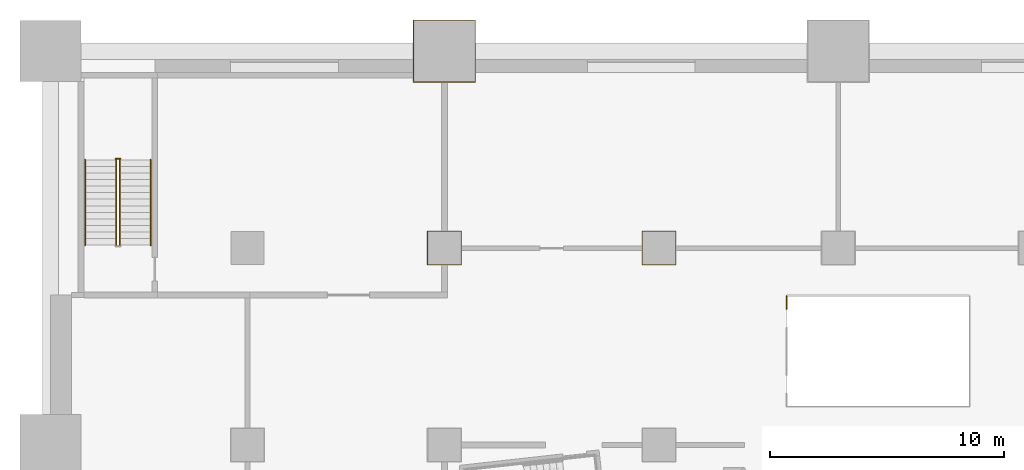
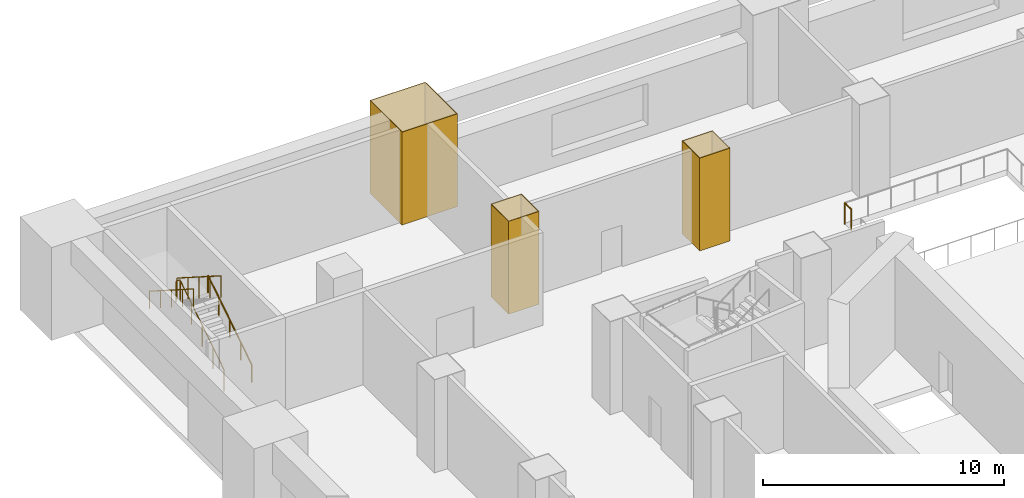
# One storey, part 13 of 17: 6 railings, 3 coverings.
"""IFC4 building model written with IfcOpenShell, lengths in metres."""

from ifc_helpers import new_model, si_unit, direction, frame, origin, origin_2d, place, context, subcontext, project, spatial, polyline, circle, outline, extrude, material, layer, layer_set, type_object, element, save


model = new_model("IFC4")

# Units and contexts
model_context = context("Model", 3, precision=1e-05, world=origin(), true_north=direction((0.0, 1.0)))
body_context = subcontext(model_context, "Body", "Model", "MODEL_VIEW")
ifc_project = project(units=[si_unit("LENGTHUNIT", "METRE"), si_unit("AREAUNIT", "SQUARE_METRE"), si_unit("VOLUMEUNIT", "CUBIC_METRE"), si_unit("PLANEANGLEUNIT", "RADIAN"), si_unit("MASSUNIT", "GRAM", prefix="KILO")], contexts=[model_context])

# Site, building, storey
site_placement = place(None, origin())
site = spatial("IfcSite", under=ifc_project, at=site_placement, CompositionType="ELEMENT")
building_placement = place(site_placement, origin())
building = spatial("IfcBuilding", under=site, at=building_placement, Name="Cantera Rosa Tower", CompositionType="ELEMENT")
storey_placement = place(building_placement, frame((0.0, 0.0, 22.0)))
storey = spatial("IfcBuildingStorey", under=building, at=storey_placement, Name="L03", CompositionType="ELEMENT", Elevation=22.0)

# Coverings
ifc_material_1 = material(Name="Plaster")
ifc_layer = layer(ifc_material_1, 0.030029296875)
ifc_layer_set = layer_set([ifc_layer], Name="Column casing 30")
covering_type = type_object("IfcCoveringType", Name="Column casing 30", PredefinedType="CLADDING", material=ifc_layer_set)
covering_1_placement = place(storey_placement, origin())
element("IfcCovering", 1, at=covering_1_placement, inside=storey, type_object=covering_type, Name="Column casing L03-011", PredefinedType="CLADDING", context=body_context, shape_type="SweptSolid", body=[
    extrude(outline(polyline([(-17.530029296875, 20.27001953125), (-16.070068359375, 20.27001953125), (-16.070068359375, 21.72998046875), (-17.530029296875, 21.72998046875), (-17.530029296875, 20.27001953125)]), holes=[polyline([(-16.10009765625, 21.699951171875), (-17.5, 21.699951171875), (-17.5, 20.300048828125), (-16.10009765625, 20.300048828125), (-16.10009765625, 21.699951171875)])]), origin(), (0.0, 0.0, 1.0), 4.699951171875),
])
covering_2_placement = place(storey_placement, origin())
element("IfcCovering", 2, at=covering_2_placement, inside=storey, type_object=covering_type, Name="Column casing L03-012", PredefinedType="CLADDING", context=body_context, shape_type="SweptSolid", body=[
    extrude(outline(polyline([(-18.1298828125, 28.070068359375), (-15.469970703125, 28.070068359375), (-15.469970703125, 30.72998046875), (-18.1298828125, 30.72998046875), (-18.1298828125, 28.070068359375)]), holes=[polyline([(-15.5, 30.699951171875), (-18.10009765625, 30.699951171875), (-18.10009765625, 28.10009765625), (-15.5, 28.10009765625), (-15.5, 30.699951171875)])]), origin(), (0.0, 0.0, 1.0), 4.699951171875),
])
covering_3_placement = place(storey_placement, origin())
element("IfcCovering", 3, at=covering_3_placement, inside=storey, type_object=covering_type, Name="Column casing L03-016", PredefinedType="CLADDING", context=body_context, shape_type="SweptSolid", body=[
    extrude(outline(polyline([(-8.3798828125, 20.27001953125), (-6.919921875, 20.27001953125), (-6.919921875, 21.72998046875), (-8.3798828125, 21.72998046875), (-8.3798828125, 20.27001953125)]), holes=[polyline([(-6.949951171875, 21.699951171875), (-8.35009765625, 21.699951171875), (-8.35009765625, 20.300048828125), (-6.949951171875, 20.300048828125), (-6.949951171875, 21.699951171875)])]), origin(), (0.0, 0.0, 1.0), 4.699951171875),
])

# Railings
ifc_material_2 = material(Name="Steel S355J2 (EN 10025-2)", Category="steel")
railing_type_1 = type_object("IfcRailingType", Name="STAIR GUARD 1100", PredefinedType="GUARDRAIL", material=ifc_material_2)
railing_1_placement = place(storey_placement, frame((-30.65087890625, 21.125, 0.178466796875)))
element("IfcRailing", 4, at=railing_1_placement, inside=storey, type_object=railing_type_1, Name="L03 ST-NW stair guard 1", PredefinedType="GUARDRAIL", context=body_context, shape_type="SweptSolid", body=[
    extrude(circle(Radius=0.02392578125, at=origin_2d()), frame((0.0, 0.0, 1.076171875), z_axis=(0.0, 0.843111507901, 0.53773877045), x_axis=(-1.0, 0.0, 0.0)), (0.0, 0.0, 1.0), 4.317138671875),
    extrude(circle(Radius=0.02099609375, at=origin_2d()), origin(), (0.0, 0.0, 1.0), 1.052001953125),
    extrude(circle(Radius=0.02099609375, at=origin_2d()), frame((0.0, 0.909912109375, 0.580322265625)), (0.0, 0.0, 1.0), 1.052001953125),
    extrude(circle(Radius=0.02099609375, at=origin_2d()), frame((0.0, 1.81982421875, 1.16064453125)), (0.0, 0.0, 1.0), 1.052001953125),
    extrude(circle(Radius=0.02099609375, at=origin_2d()), frame((0.0, 2.72998046875, 1.7412109375)), (0.0, 0.0, 1.0), 1.052001953125),
    extrude(circle(Radius=0.02099609375, at=origin_2d()), frame((0.0, 3.639892578125, 2.321533203125)), (0.0, 0.0, 1.0), 1.052001953125),
])
railing_2_placement = place(storey_placement, frame((-30.625, 24.81494140625, 2.5)))
element("IfcRailing", 5, at=railing_2_placement, inside=storey, type_object=railing_type_1, Name="L03 ST-NW stair guard 2", PredefinedType="GUARDRAIL", context=body_context, shape_type="SweptSolid", body=[
    extrude(circle(Radius=0.02392578125, at=origin_2d()), frame((0.0, 0.0, 1.076171875), z_axis=(-1.0, 0.0, 0.0), x_axis=(0.0, -1.0, 0.0)), (0.0, 0.0, 1.0), 0.199951171875),
    extrude(circle(Radius=0.02099609375, at=origin_2d()), origin(), (0.0, 0.0, 1.0), 1.052001953125),
    extrude(circle(Radius=0.02099609375, at=origin_2d()), frame((-0.199951171875, 0.0, 0.0)), (0.0, 0.0, 1.0), 1.052001953125),
])
railing_3_placement = place(storey_placement, frame((-30.799072265625, 24.764892578125, 2.678466796875)))
element("IfcRailing", 6, at=railing_3_placement, inside=storey, type_object=railing_type_1, Name="L03 ST-NW stair guard 3", PredefinedType="GUARDRAIL", context=body_context, shape_type="SweptSolid", body=[
    extrude(circle(Radius=0.02392578125, at=origin_2d()), frame((0.0, 0.0, 1.076171875), z_axis=(0.0, -0.843111507901, 0.53773877045), x_axis=(1.0, 0.0, 0.0)), (0.0, 0.0, 1.0), 4.317138671875),
    extrude(circle(Radius=0.02099609375, at=origin_2d()), origin(), (0.0, 0.0, 1.0), 1.052001953125),
    extrude(circle(Radius=0.02099609375, at=origin_2d()), frame((0.0, -0.909912109375, 0.580322265625)), (0.0, 0.0, 1.0), 1.052001953125),
    extrude(circle(Radius=0.02099609375, at=origin_2d()), frame((0.0, -1.81982421875, 1.16064453125)), (0.0, 0.0, 1.0), 1.052001953125),
    extrude(circle(Radius=0.02099609375, at=origin_2d()), frame((0.0, -2.72998046875, 1.7412109375)), (0.0, 0.0, 1.0), 1.052001953125),
    extrude(circle(Radius=0.02099609375, at=origin_2d()), frame((0.0, -3.639892578125, 2.321533203125)), (0.0, 0.0, 1.0), 1.052001953125),
])
ifc_material_3 = material(Name="Steel S355J2 (EN 10025-2)", Category="steel")
railing_type_2 = type_object("IfcRailingType", Name="STAIR HANDRAIL 900", PredefinedType="HANDRAIL", material=ifc_material_3)
railing_4_placement = place(storey_placement, frame((-29.324951171875, 21.125, 0.178466796875)))
element("IfcRailing", 7, at=railing_4_placement, inside=storey, type_object=railing_type_2, Name="L03 ST-NW stair handrail 1", PredefinedType="HANDRAIL", context=body_context, shape_type="SweptSolid", body=[
    extrude(circle(Radius=0.02392578125, at=origin_2d()), frame((0.0, 0.0, 0.8759765625), z_axis=(0.0, 0.843111507901, 0.53773877045), x_axis=(-1.0, 0.0, 0.0)), (0.0, 0.0, 1.0), 4.317138671875),
    extrude(circle(Radius=0.02099609375, at=origin_2d()), origin(), (0.0, 0.0, 1.0), 0.851806640625),
    extrude(circle(Radius=0.02099609375, at=origin_2d()), frame((0.0, 0.909912109375, 0.580322265625)), (0.0, 0.0, 1.0), 0.851806640625),
    extrude(circle(Radius=0.02099609375, at=origin_2d()), frame((0.0, 1.81982421875, 1.16064453125)), (0.0, 0.0, 1.0), 0.851806640625),
    extrude(circle(Radius=0.02099609375, at=origin_2d()), frame((0.0, 2.72998046875, 1.7412109375)), (0.0, 0.0, 1.0), 0.851806640625),
    extrude(circle(Radius=0.02099609375, at=origin_2d()), frame((0.0, 3.639892578125, 2.321533203125)), (0.0, 0.0, 1.0), 0.851806640625),
])
railing_5_placement = place(storey_placement, frame((-32.125, 24.764892578125, 2.678466796875)))
element("IfcRailing", 8, at=railing_5_placement, inside=storey, type_object=railing_type_2, Name="L03 ST-NW stair handrail 2", PredefinedType="HANDRAIL", context=body_context, shape_type="SweptSolid", body=[
    extrude(circle(Radius=0.02392578125, at=origin_2d()), frame((0.0, 0.0, 0.8759765625), z_axis=(0.0, -0.843111507901, 0.53773877045), x_axis=(1.0, 0.0, 0.0)), (0.0, 0.0, 1.0), 4.317138671875),
    extrude(circle(Radius=0.02099609375, at=origin_2d()), origin(), (0.0, 0.0, 1.0), 0.851806640625),
    extrude(circle(Radius=0.02099609375, at=origin_2d()), frame((0.0, -0.909912109375, 0.580322265625)), (0.0, 0.0, 1.0), 0.851806640625),
    extrude(circle(Radius=0.02099609375, at=origin_2d()), frame((0.0, -1.81982421875, 1.16064453125)), (0.0, 0.0, 1.0), 0.851806640625),
    extrude(circle(Radius=0.02099609375, at=origin_2d()), frame((0.0, -2.72998046875, 1.7412109375)), (0.0, 0.0, 1.0), 0.851806640625),
    extrude(circle(Radius=0.02099609375, at=origin_2d()), frame((0.0, -3.639892578125, 2.321533203125)), (0.0, 0.0, 1.0), 0.851806640625),
])
ifc_material_4 = material(Name="Steel S355J2 (EN 10025-2)", Category="steel")
railing_type_3 = type_object("IfcRailingType", Name="Well guard 1100", PredefinedType="GUARDRAIL", material=ifc_material_4)
railing_6_placement = place(storey_placement, frame((-2.194091796875, 18.39990234375, 0.0)))
element("IfcRailing", 9, at=railing_6_placement, inside=storey, type_object=railing_type_3, Name="Guard at the top of escalator well L03", PredefinedType="GUARDRAIL", context=body_context, shape_type="SweptSolid", body=[
    extrude(circle(Radius=0.02392578125, at=origin_2d()), frame((0.0, 0.0, 1.076171875), z_axis=(0.0, 1.0, 0.0), x_axis=(-1.0, 0.0, 0.0)), (0.0, 0.0, 1.0), 0.550048828125),
    extrude(circle(Radius=0.02099609375, at=origin_2d()), origin(), (0.0, 0.0, 1.0), 1.052001953125),
    extrude(circle(Radius=0.02099609375, at=origin_2d()), frame((0.0, 0.550048828125, 0.0)), (0.0, 0.0, 1.0), 1.052001953125),
])

save(model, "model.ifc")
